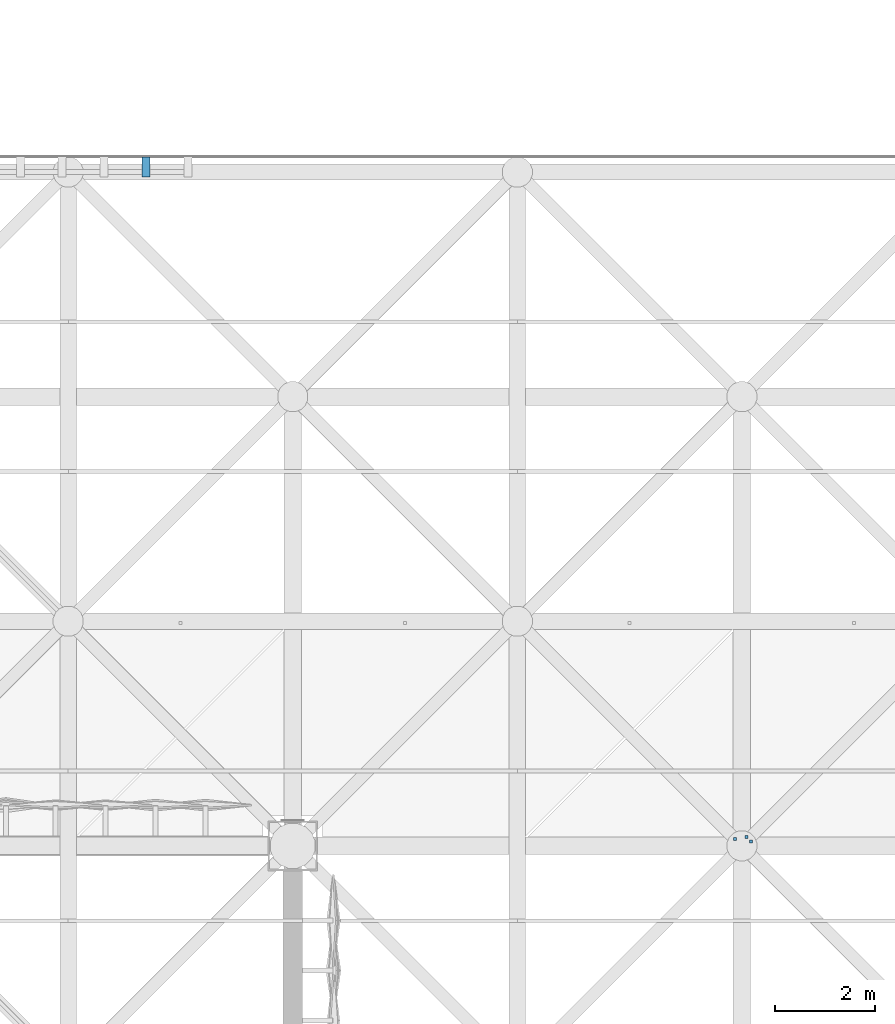
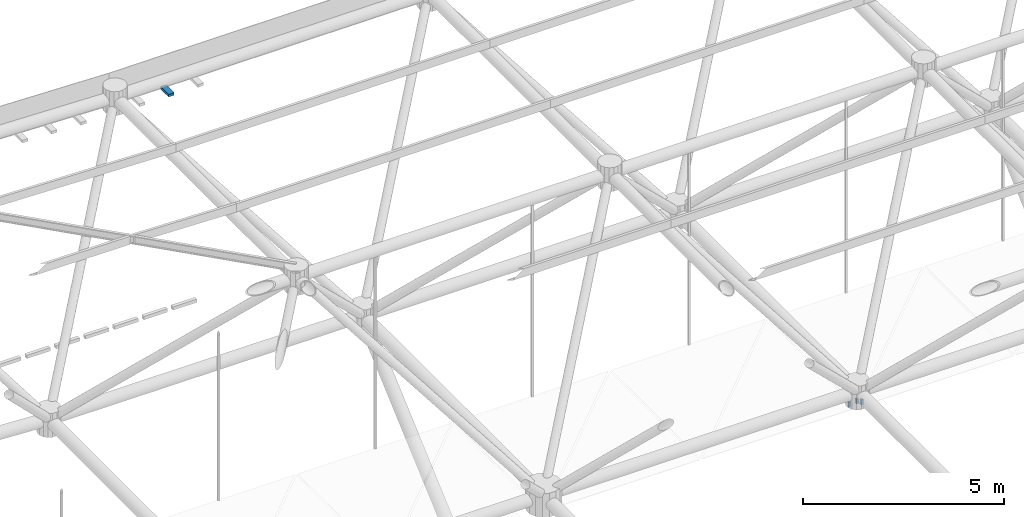
# One storey, part 389 of 437: 4 discrete accessories.
"""IFC4 building model written with IfcOpenShell, lengths in metres."""

from ifc_helpers import new_model, si_unit, direction, frame, origin, origin_2d, place, context, subcontext, project, spatial, polyline, rectangle, outline, extrude, material, type_object, element, save


model = new_model("IFC4")

# Units and contexts
model_context = context("Model", 3, precision=1e-05, world=origin(), true_north=direction((0.0, 1.0)))
body_context = subcontext(model_context, "Body", "Model", "MODEL_VIEW")
ifc_project = project(units=[si_unit("LENGTHUNIT", "METRE"), si_unit("AREAUNIT", "SQUARE_METRE"), si_unit("VOLUMEUNIT", "CUBIC_METRE"), si_unit("PLANEANGLEUNIT", "RADIAN"), si_unit("MASSUNIT", "GRAM", prefix="KILO")], contexts=[model_context])

# Site, building, storey
site_placement = place(None, origin())
site = spatial("IfcSite", under=ifc_project, at=site_placement, CompositionType="ELEMENT")
building_placement = place(site_placement, origin())
building = spatial("IfcBuilding", under=site, at=building_placement, Name="Opaline Strait Convention Centre", CompositionType="ELEMENT")
storey_placement = place(building_placement, frame((0.0, 0.0, 11.5)))
storey = spatial("IfcBuildingStorey", under=building, at=storey_placement, Name="L02", CompositionType="ELEMENT", Elevation=11.5)

# Discrete accessories
ifc_material = material(Name="Steel Q355B", Category="steel")
discrete_accessory_type_1 = type_object("IfcDiscreteAccessoryType", Name="Blade head bracket 160x400x80", PredefinedType="BRACKET", material=ifc_material)
discrete_accessory_1_placement = place(storey_placement, frame((150.06005859375, 166.60009765625, 17.5), z_axis=(0.0, 0.0, 1.0), x_axis=(1.0, 0.0, 0.0)))
element("IfcDiscreteAccessory", 1, at=discrete_accessory_1_placement, inside=storey, type_object=discrete_accessory_type_1, Name="Blade head bracket W25", PredefinedType="BRACKET", context=body_context, shape_type="SweptSolid", body=[
    extrude(rectangle(XDim=0.159912109375, YDim=0.39990234375, at=origin_2d()), origin(), (0.0, 0.0, 1.0), 0.080078125),
])
discrete_accessory_type_2 = type_object("IfcDiscreteAccessoryType", Name="Soffit hanger 60x60 steel", PredefinedType="BRACKET", material=ifc_material)
discrete_accessory_2_placement = place(storey_placement, frame((0.0, 0.0, 11.989990234375)))
element("IfcDiscreteAccessory", 2, at=discrete_accessory_2_placement, inside=storey, type_object=discrete_accessory_type_2, Name="Soffit hanger", PredefinedType="BRACKET", context=body_context, shape_type="SweptSolid", body=[
    extrude(outline(polyline([(161.82861328125, 153.111328125), (161.888671875, 153.111328125), (161.888671875, 153.17138671875), (161.82861328125, 153.17138671875), (161.82861328125, 153.111328125)])), origin(), (0.0, 0.0, 1.0), 0.14990234375),
])
discrete_accessory_3_placement = place(storey_placement, frame((0.0, 0.0, 11.989990234375)))
element("IfcDiscreteAccessory", 3, at=discrete_accessory_3_placement, inside=storey, type_object=discrete_accessory_type_2, Name="Soffit hanger", PredefinedType="BRACKET", context=body_context, shape_type="SweptSolid", body=[
    extrude(outline(polyline([(162.14892578125, 153.059326171875), (162.208984375, 153.059326171875), (162.208984375, 153.119140625), (162.14892578125, 153.119140625), (162.14892578125, 153.059326171875)])), origin(), (0.0, 0.0, 1.0), 0.14990234375),
])
discrete_accessory_4_placement = place(storey_placement, frame((0.0, 0.0, 11.989990234375)))
element("IfcDiscreteAccessory", 4, at=discrete_accessory_4_placement, inside=storey, type_object=discrete_accessory_type_2, Name="Soffit hanger", PredefinedType="BRACKET", context=body_context, shape_type="SweptSolid", body=[
    extrude(outline(polyline([(162.059326171875, 153.14892578125), (162.119140625, 153.14892578125), (162.119140625, 153.208984375), (162.059326171875, 153.208984375), (162.059326171875, 153.14892578125)])), origin(), (0.0, 0.0, 1.0), 0.14990234375),
])

save(model, "model.ifc")
